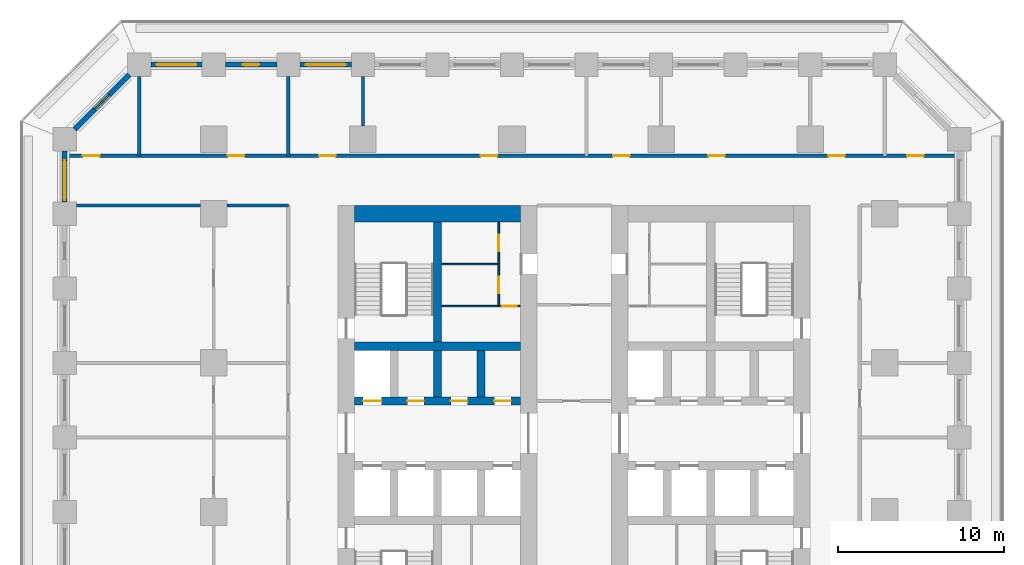
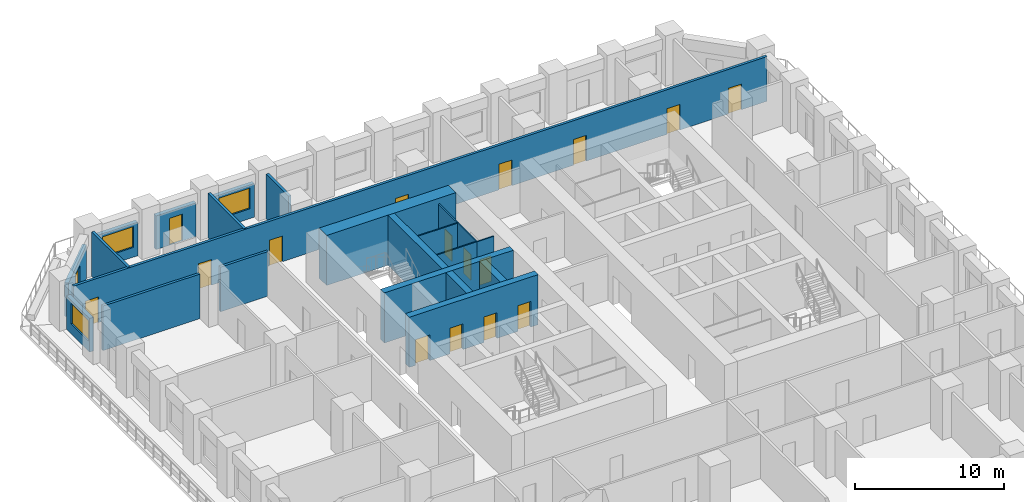
# One storey, part 6 of 12: 22 walls, 17 doors, 3 windows, 20 openings.
"""IFC4 building model written with IfcOpenShell, lengths in metres."""

from ifc_helpers import new_model, si_unit, direction, frame, frame_2d, origin, place, context, subcontext, project, spatial, rectangle, extrude, material, layer, layer_set, type_object, element, fill, save


model = new_model("IFC4")

# Units and contexts
model_context = context("Model", 3, precision=1e-05, world=origin(), true_north=direction((0.0, 1.0)))
body_context = subcontext(model_context, "Body", "Model", "MODEL_VIEW")
ifc_project = project(units=[si_unit("LENGTHUNIT", "METRE"), si_unit("AREAUNIT", "SQUARE_METRE"), si_unit("VOLUMEUNIT", "CUBIC_METRE"), si_unit("PLANEANGLEUNIT", "RADIAN"), si_unit("MASSUNIT", "GRAM", prefix="KILO")], contexts=[model_context])

# Site, building, storey
site_placement = place(None, origin())
site = spatial("IfcSite", under=ifc_project, at=site_placement, CompositionType="ELEMENT")
building_placement = place(site_placement, origin())
building = spatial("IfcBuilding", under=site, at=building_placement, Name="Corbel Stack Research Tower", CompositionType="ELEMENT")
storey_placement = place(building_placement, frame((0.0, 0.0, 27.699951171875)))
storey = spatial("IfcBuildingStorey", under=building, at=storey_placement, Name="L06", CompositionType="ELEMENT", Elevation=27.699951171875)

# Wall
ifc_material_1 = material(Name="Concrete C70/85", Category="concrete")
ifc_layer_1 = layer(ifc_material_1, 1.0)
ifc_layer_set_1 = layer_set([ifc_layer_1], Name="Concrete C70/85")
wall_type_1 = type_object("IfcWallType", Name="CW-1000-70", PredefinedType="SHEAR", material=ifc_layer_set_1)
wall_1_placement = place(storey_placement, frame((-9.5, 18.0, 0.0), z_axis=(0.0, 0.0, 1.0), x_axis=(1.0, 0.0, 0.0)))
element("IfcWall", 1, at=wall_1_placement, inside=storey, type_object=wall_type_1, Name="West core wall, north end L06", PredefinedType="SHEAR", context=body_context, shape_type="SweptSolid", body=[
    extrude(rectangle(XDim=10.0, YDim=1.0, at=frame_2d((5.0, 0.0))), origin(), (0.0, 0.0, 1.0), 4.10009765625),
])

# Wall, openings, doors
ifc_material_2 = material(Name="Concrete C70/85", Category="concrete")
ifc_layer_2 = layer(ifc_material_2, 0.5)
ifc_layer_set_2 = layer_set([ifc_layer_2], Name="Concrete C70/85")
wall_type_2 = type_object("IfcWallType", Name="CW-500-70", PredefinedType="SHEAR", material=ifc_layer_set_2)
wall_2_placement = place(storey_placement, frame((-9.5, 6.699951171875, 0.0), z_axis=(0.0, 0.0, 1.0), x_axis=(1.0, 0.0, 0.0)))
wall_2 = element("IfcWall", 2, at=wall_2_placement, inside=storey, type_object=wall_type_2, Name="West core wall, lobby north L06", PredefinedType="SHEAR", context=body_context, shape_type="SweptSolid", body=[
    extrude(rectangle(XDim=10.0, YDim=0.5, at=frame_2d((5.0, 0.0))), origin(), (0.0, 0.0, 1.0), 4.10009765625),
])
opening_1_placement = place(wall_2_placement, frame((0.512451171875, 0.0, 0.0)))
opening_1 = element("IfcOpeningElement", 3, at=opening_1_placement, cuts=wall_2, Name="Opening LD-LR2", PredefinedType="OPENING", context=body_context, shape_type="SweptSolid", body=[
    extrude(rectangle(XDim=1.10009765625, YDim=2.10009765625, at=frame_2d((0.550048828125, 1.050048828125))), frame((0.0, 0.260009765625, 0.0), z_axis=(0.0, -1.0, 0.0), x_axis=(1.0, 0.0, 0.0)), (0.0, 0.0, 1.0), 0.52001953125),
])
opening_2_placement = place(wall_2_placement, frame((3.1875, 0.0, 0.0)))
opening_2 = element("IfcOpeningElement", 4, at=opening_2_placement, cuts=wall_2, Name="Opening CR-W24-N2", PredefinedType="OPENING", context=body_context, shape_type="SweptSolid", body=[
    extrude(rectangle(XDim=1.0, YDim=2.10009765625, at=frame_2d((0.5, 1.050048828125))), frame((0.0, 0.260009765625, 0.0), z_axis=(0.0, -1.0, 0.0), x_axis=(1.0, 0.0, 0.0)), (0.0, 0.0, 1.0), 0.52001953125),
])
opening_3_placement = place(wall_2_placement, frame((5.8125, 0.0, 0.0)))
opening_3 = element("IfcOpeningElement", 5, at=opening_3_placement, cuts=wall_2, Name="Opening CR-W24-N3", PredefinedType="OPENING", context=body_context, shape_type="SweptSolid", body=[
    extrude(rectangle(XDim=1.0, YDim=2.10009765625, at=frame_2d((0.5, 1.050048828125))), frame((0.0, 0.260009765625, 0.0), z_axis=(0.0, -1.0, 0.0), x_axis=(1.0, 0.0, 0.0)), (0.0, 0.0, 1.0), 0.52001953125),
])
opening_4_placement = place(wall_2_placement, frame((8.4375, 0.0, 0.0)))
opening_4 = element("IfcOpeningElement", 6, at=opening_4_placement, cuts=wall_2, Name="Opening CR-W24-N4", PredefinedType="OPENING", context=body_context, shape_type="SweptSolid", body=[
    extrude(rectangle(XDim=1.0, YDim=2.10009765625, at=frame_2d((0.5, 1.050048828125))), frame((0.0, 0.260009765625, 0.0), z_axis=(0.0, -1.0, 0.0), x_axis=(1.0, 0.0, 0.0)), (0.0, 0.0, 1.0), 0.52001953125),
])
ifc_material_3 = material(Name="Stainless steel landing door", Category="steel")
door_type_1 = type_object("IfcDoorType", Name="Lift landing door 1100 x 2100", OperationType="DOUBLE_DOOR_SLIDING", PredefinedType="DOOR", material=ifc_material_3)
door_1_placement = place(opening_1_placement, origin())
door_1 = element("IfcDoor", 7, at=door_1_placement, inside=storey, type_object=door_type_1, Name="Landing door LR2", OperationType="DOUBLE_DOOR_SLIDING", OverallHeight=2.10009765625, OverallWidth=1.10009765625, PredefinedType="DOOR", context=body_context, shape_type="SweptSolid", body=[
    extrude(rectangle(XDim=1.10009765625, YDim=2.10009765625, at=frame_2d((0.550048828125, 1.050048828125))), frame((0.0, 0.02490234375, 0.0), z_axis=(0.0, -1.0, 0.0), x_axis=(1.0, 0.0, 0.0)), (0.0, 0.0, 1.0), 0.050048828125),
])
fill(opening_1, door_1)
ifc_material_4 = material(Name="Painted steel door", Category="steel")
door_type_2 = type_object("IfcDoorType", Name="Service door 1000 x 2100 FD60 left hand", OperationType="SINGLE_SWING_LEFT", PredefinedType="DOOR", material=ifc_material_4)
door_2_placement = place(opening_3_placement, origin())
door_2 = element("IfcDoor", 8, at=door_2_placement, inside=storey, type_object=door_type_2, Name="Telecom room door W core", OperationType="SINGLE_SWING_LEFT", OverallHeight=2.10009765625, OverallWidth=1.0, PredefinedType="DOOR", context=body_context, shape_type="SweptSolid", body=[
    extrude(rectangle(XDim=1.0, YDim=2.10009765625, at=frame_2d((0.5, 1.050048828125))), frame((0.0, 0.02490234375, 0.0), z_axis=(0.0, -1.0, 0.0), x_axis=(1.0, 0.0, 0.0)), (0.0, 0.0, 1.0), 0.050048828125),
])
fill(opening_3, door_2)
ifc_material_5 = material(Name="Painted steel door", Category="steel")
door_type_3 = type_object("IfcDoorType", Name="Service door 1000 x 2100 FD60 right hand", OperationType="SINGLE_SWING_RIGHT", PredefinedType="DOOR", material=ifc_material_5)
door_3_placement = place(opening_2_placement, origin())
door_3 = element("IfcDoor", 9, at=door_3_placement, inside=storey, type_object=door_type_3, Name="Mechanical room door W core", OperationType="SINGLE_SWING_RIGHT", OverallHeight=2.10009765625, OverallWidth=1.0, PredefinedType="DOOR", context=body_context, shape_type="SweptSolid", body=[
    extrude(rectangle(XDim=1.0, YDim=2.10009765625, at=frame_2d((0.5, 1.050048828125))), frame((0.0, 0.02490234375, 0.0), z_axis=(0.0, -1.0, 0.0), x_axis=(1.0, 0.0, 0.0)), (0.0, 0.0, 1.0), 0.050048828125),
])
fill(opening_2, door_3)
door_4_placement = place(opening_4_placement, origin())
door_4 = element("IfcDoor", 10, at=door_4_placement, inside=storey, type_object=door_type_3, Name="Copy and supply store door W core", OperationType="SINGLE_SWING_RIGHT", OverallHeight=2.10009765625, OverallWidth=1.0, PredefinedType="DOOR", context=body_context, shape_type="SweptSolid", body=[
    extrude(rectangle(XDim=1.0, YDim=2.10009765625, at=frame_2d((0.5, 1.050048828125))), frame((0.0, 0.02490234375, 0.0), z_axis=(0.0, -1.0, 0.0), x_axis=(1.0, 0.0, 0.0)), (0.0, 0.0, 1.0), 0.050048828125),
])
fill(opening_4, door_4)

# Walls
wall_3_placement = place(storey_placement, frame((-9.5, 10.0, 0.0), z_axis=(0.0, 0.0, 1.0), x_axis=(1.0, 0.0, 0.0)))
element("IfcWall", 11, at=wall_3_placement, inside=storey, type_object=wall_type_2, Name="West core wall, north row back L06", PredefinedType="SHEAR", context=body_context, shape_type="SweptSolid", body=[
    extrude(rectangle(XDim=10.0, YDim=0.5, at=frame_2d((5.0, 0.0))), origin(), (0.0, 0.0, 1.0), 4.10009765625),
])
for number, where, z_axis, x_axis, name in (
    (12, (-4.5, 6.949951171875, 0.0), (0.0, 0.0, 1.0), (0.0, 1.0, 0.0), "West core wall, north shaft 2 L06"),
    (13, (-1.875, 6.949951171875, 0.0), (0.0, 0.0, 1.0), (0.0, 1.0, 0.0), "West core wall, north shaft 3 L06"),
):
    element("IfcWall", number, at=place(storey_placement, frame(where, z_axis=z_axis, x_axis=x_axis)), inside=storey, type_object=wall_type_2, Name=name, PredefinedType="SHEAR", context=body_context, shape_type="SweptSolid", body=[
        extrude(rectangle(XDim=2.800048828125, YDim=0.5, at=frame_2d((1.39990234375, 0.0))), origin(), (0.0, 0.0, 1.0), 4.10009765625),
    ])
wall_4_placement = place(storey_placement, frame((-4.5, 10.25, 0.0), z_axis=(0.0, 0.0, 1.0), x_axis=(0.0, 1.0, 0.0)))
element("IfcWall", 14, at=wall_4_placement, inside=storey, type_object=wall_type_2, Name="West core wall, north stair and riser L06", PredefinedType="SHEAR", context=body_context, shape_type="SweptSolid", body=[
    extrude(rectangle(XDim=7.25, YDim=0.5, at=frame_2d((3.625, 0.0))), origin(), (0.0, 0.0, 1.0), 4.10009765625),
])

# Wall, opening, door
ifc_material_6 = material(Name="Gypsum board")
ifc_layer_3 = layer(ifc_material_6, 0.10009765625)
ifc_layer_set_3 = layer_set([ifc_layer_3], Name="Gypsum board")
wall_type_3 = type_object("IfcWallType", Name="Core partition 100", PredefinedType="PARTITIONING", material=ifc_layer_set_3)
wall_5_placement = place(storey_placement, frame((-0.800048828125, 12.425048828125, 0.0), z_axis=(0.0, 0.0, 1.0), x_axis=(1.0, 0.0, 0.0)))
wall_5 = element("IfcWall", 15, at=wall_5_placement, inside=storey, type_object=wall_type_3, Name="Core partition W", PredefinedType="PARTITIONING", context=body_context, shape_type="SweptSolid", body=[
    extrude(rectangle(XDim=1.300048828125, YDim=0.10009765625, at=frame_2d((0.64990234375, 0.0))), origin(), (0.0, 0.0, 1.0), 3.650146484375),
])
opening_5_placement = place(wall_5_placement, frame((0.199951171875, 0.0, 0.0)))
opening_5 = element("IfcOpeningElement", 16, at=opening_5_placement, cuts=wall_5, Name="Opening CR-W24-R1-900", PredefinedType="OPENING", context=body_context, shape_type="SweptSolid", body=[
    extrude(rectangle(XDim=0.89990234375, YDim=2.10009765625, at=frame_2d((0.449951171875, 1.050048828125))), frame((0.0, 0.06005859375, 0.0), z_axis=(0.0, -1.0, 0.0), x_axis=(1.0, 0.0, 0.0)), (0.0, 0.0, 1.0), 0.1201171875),
])
ifc_material_7 = material(Name="Painted steel door", Category="steel")
door_type_4 = type_object("IfcDoorType", Name="Riser door 900 x 2100 FD60 left hand", OperationType="SINGLE_SWING_LEFT", PredefinedType="DOOR", material=ifc_material_7)
door_5_placement = place(opening_5_placement, origin())
door_5 = element("IfcDoor", 17, at=door_5_placement, inside=storey, type_object=door_type_4, Name="Electrical riser door W core", OperationType="SINGLE_SWING_LEFT", OverallHeight=2.10009765625, OverallWidth=0.89990234375, PredefinedType="DOOR", context=body_context, shape_type="SweptSolid", body=[
    extrude(rectangle(XDim=0.89990234375, YDim=2.10009765625, at=frame_2d((0.449951171875, 1.050048828125))), frame((0.0, 0.02490234375, 0.0), z_axis=(0.0, -1.0, 0.0), x_axis=(1.0, 0.0, 0.0)), (0.0, 0.0, 1.0), 0.050048828125),
])
fill(opening_5, door_5)

# Wall
wall_6_placement = place(storey_placement, frame((-4.25, 12.425048828125, 0.0), z_axis=(0.0, 0.0, 1.0), x_axis=(1.0, 0.0, 0.0)))
element("IfcWall", 18, at=wall_6_placement, inside=storey, type_object=wall_type_3, Name="Core partition W", PredefinedType="PARTITIONING", context=body_context, shape_type="SweptSolid", body=[
    extrude(rectangle(XDim=3.449951171875, YDim=0.10009765625, at=frame_2d((1.72509765625, 0.0))), origin(), (0.0, 0.0, 1.0), 3.650146484375),
])

# Wall, opening, door
wall_7_placement = place(storey_placement, frame((-0.800048828125, 12.425048828125, 0.0), z_axis=(0.0, 0.0, 1.0), x_axis=(0.0, 1.0, 0.0)))
wall_7 = element("IfcWall", 19, at=wall_7_placement, inside=storey, type_object=wall_type_3, Name="Core partition W", PredefinedType="PARTITIONING", context=body_context, shape_type="SweptSolid", body=[
    extrude(rectangle(XDim=2.537353515625, YDim=0.10009765625, at=frame_2d((1.2685546875, 0.0))), origin(), (0.0, 0.0, 1.0), 3.650146484375),
])
opening_6_placement = place(wall_7_placement, frame((0.768798828125, 0.0, 0.0)))
opening_6 = element("IfcOpeningElement", 20, at=opening_6_placement, cuts=wall_7, Name="Opening CR-W24-R3-1000", PredefinedType="OPENING", context=body_context, shape_type="SweptSolid", body=[
    extrude(rectangle(XDim=1.0, YDim=2.10009765625, at=frame_2d((0.5, 1.050048828125))), frame((0.0, 0.06005859375, 0.0), z_axis=(0.0, -1.0, 0.0), x_axis=(1.0, 0.0, 0.0)), (0.0, 0.0, 1.0), 0.1201171875),
])
ifc_material_8 = material(Name="Painted steel door", Category="steel")
door_type_5 = type_object("IfcDoorType", Name="Service door 1000 x 2100 FD30 left hand", OperationType="SINGLE_SWING_LEFT", PredefinedType="DOOR", material=ifc_material_8)
door_6_placement = place(opening_6_placement, origin())
door_6 = element("IfcDoor", 21, at=door_6_placement, inside=storey, type_object=door_type_5, Name="Pantry door W core", OperationType="SINGLE_SWING_LEFT", OverallHeight=2.10009765625, OverallWidth=1.0, PredefinedType="DOOR", context=body_context, shape_type="SweptSolid", body=[
    extrude(rectangle(XDim=1.0, YDim=2.10009765625, at=frame_2d((0.5, 1.050048828125))), frame((0.0, 0.02490234375, 0.0), z_axis=(0.0, -1.0, 0.0), x_axis=(1.0, 0.0, 0.0)), (0.0, 0.0, 1.0), 0.050048828125),
])
fill(opening_6, door_6)

wall_8_placement = place(storey_placement, frame((-0.800048828125, 14.96240234375, 0.0), z_axis=(0.0, 0.0, 1.0), x_axis=(0.0, 1.0, 0.0)))
wall_8 = element("IfcWall", 22, at=wall_8_placement, inside=storey, type_object=wall_type_3, Name="Core partition W", PredefinedType="PARTITIONING", context=body_context, shape_type="SweptSolid", body=[
    extrude(rectangle(XDim=2.53759765625, YDim=0.10009765625, at=frame_2d((1.268798828125, 0.0))), origin(), (0.0, 0.0, 1.0), 3.650146484375),
])
opening_7_placement = place(wall_8_placement, frame((0.768798828125, 0.0, 0.0)))
opening_7 = element("IfcOpeningElement", 23, at=opening_7_placement, cuts=wall_8, Name="Opening CR-W24-R4-1000", PredefinedType="OPENING", context=body_context, shape_type="SweptSolid", body=[
    extrude(rectangle(XDim=1.0, YDim=2.10009765625, at=frame_2d((0.5, 1.050048828125))), frame((0.0, 0.06005859375, 0.0), z_axis=(0.0, -1.0, 0.0), x_axis=(1.0, 0.0, 0.0)), (0.0, 0.0, 1.0), 0.1201171875),
])
ifc_material_9 = material(Name="Painted steel door", Category="steel")
door_type_6 = type_object("IfcDoorType", Name="Service door 1000 x 2100 FD30 right hand", OperationType="SINGLE_SWING_RIGHT", PredefinedType="DOOR", material=ifc_material_9)
door_7_placement = place(opening_7_placement, origin())
door_7 = element("IfcDoor", 24, at=door_7_placement, inside=storey, type_object=door_type_6, Name="Copy and supply store door W core", OperationType="SINGLE_SWING_RIGHT", OverallHeight=2.10009765625, OverallWidth=1.0, PredefinedType="DOOR", context=body_context, shape_type="SweptSolid", body=[
    extrude(rectangle(XDim=1.0, YDim=2.10009765625, at=frame_2d((0.5, 1.050048828125))), frame((0.0, 0.02490234375, 0.0), z_axis=(0.0, -1.0, 0.0), x_axis=(1.0, 0.0, 0.0)), (0.0, 0.0, 1.0), 0.050048828125),
])
fill(opening_7, door_7)

# Walls
wall_9_placement = place(storey_placement, frame((-4.25, 14.96240234375, 0.0), z_axis=(0.0, 0.0, 1.0), x_axis=(1.0, 0.0, 0.0)))
element("IfcWall", 25, at=wall_9_placement, inside=storey, type_object=wall_type_3, Name="Core partition W", PredefinedType="PARTITIONING", context=body_context, shape_type="SweptSolid", body=[
    extrude(rectangle(XDim=3.449951171875, YDim=0.10009765625, at=frame_2d((1.72509765625, 0.0))), origin(), (0.0, 0.0, 1.0), 3.650146484375),
])
ifc_material_10 = material(Name="Fire-rated gypsum board partition on steel studs", Category="steel")
ifc_layer_4 = layer(ifc_material_10, 0.199951171875)
ifc_layer_set_4 = layer_set([ifc_layer_4], Name="Fire-rated gypsum board partition on steel studs")
wall_type_4 = type_object("IfcWallType", Name="Fire-rated partition 200 EI 60", PredefinedType="PARTITIONING", material=ifc_layer_set_4)
for number, where, z_axis, x_axis, name in (
    (26, (-22.5, 21.5, 0.0), (0.0, 0.0, 1.0), (0.0, 1.0, 0.0), "Partition L06-002"),
    (27, (-13.5, 21.5, 0.0), (0.0, 0.0, 1.0), (0.0, 1.0, 0.0), "Partition L06-008"),
):
    element("IfcWall", number, at=place(storey_placement, frame(where, z_axis=z_axis, x_axis=x_axis)), inside=storey, type_object=wall_type_4, Name=name, PredefinedType="PARTITIONING", context=body_context, shape_type="SweptSolid", body=[
        extrude(rectangle(XDim=4.800048828125, YDim=0.199951171875, at=frame_2d((2.39990234375, 0.0))), origin(), (0.0, 0.0, 1.0), 3.650146484375),
    ])
wall_10_placement = place(storey_placement, frame((-9.0, 23.300048828125, 0.0), z_axis=(0.0, 0.0, 1.0), x_axis=(0.0, 1.0, 0.0)))
element("IfcWall", 28, at=wall_10_placement, inside=storey, type_object=wall_type_4, Name="Partition L06-011", PredefinedType="PARTITIONING", context=body_context, shape_type="SweptSolid", body=[
    extrude(rectangle(XDim=3.0, YDim=0.199951171875, at=frame_2d((1.5, 0.0))), origin(), (0.0, 0.0, 1.0), 3.650146484375),
])
wall_11_placement = place(storey_placement, frame((-26.300048828125, 18.5, 0.0), z_axis=(0.0, 0.0, 1.0), x_axis=(1.0, 0.0, 0.0)))
element("IfcWall", 29, at=wall_11_placement, inside=storey, type_object=wall_type_4, Name="Partition L06-040", PredefinedType="PARTITIONING", context=body_context, shape_type="SweptSolid", body=[
    extrude(rectangle(XDim=7.5, YDim=0.199951171875, at=frame_2d((3.75, 0.0))), origin(), (0.0, 0.0, 1.0), 3.650146484375),
])
wall_12_placement = place(storey_placement, frame((-17.199951171875, 18.5, 0.0), z_axis=(0.0, 0.0, 1.0), x_axis=(1.0, 0.0, 0.0)))
element("IfcWall", 30, at=wall_12_placement, inside=storey, type_object=wall_type_4, Name="Partition L06-041", PredefinedType="PARTITIONING", context=body_context, shape_type="SweptSolid", body=[
    extrude(rectangle(XDim=3.699951171875, YDim=0.199951171875, at=frame_2d((1.85009765625, 0.0))), origin(), (0.0, 0.0, 1.0), 3.650146484375),
])

# Wall, openings, doors
wall_13_placement = place(storey_placement, frame((-26.85009765625, 21.5, 0.0), z_axis=(0.0, 0.0, 1.0), x_axis=(1.0, 0.0, 0.0)))
wall_13 = element("IfcWall", 31, at=wall_13_placement, inside=storey, type_object=wall_type_4, Name="Partition L06-045", PredefinedType="PARTITIONING", context=body_context, shape_type="SweptSolid", body=[
    extrude(rectangle(XDim=53.7001953125, YDim=0.199951171875, at=frame_2d((26.85009765625, 0.0))), origin(), (0.0, 0.0, 1.0), 3.650146484375),
])
opening_8_placement = place(wall_13_placement, frame((0.949951171875, 0.0, 0.0)))
opening_8 = element("IfcOpeningElement", 32, at=opening_8_placement, cuts=wall_13, Name="Opening B1V1-031", PredefinedType="OPENING", context=body_context, shape_type="SweptSolid", body=[
    extrude(rectangle(XDim=1.0, YDim=2.10009765625, at=frame_2d((0.5, 1.050048828125))), frame((0.0, 0.10986328125, 0.0), z_axis=(0.0, -1.0, 0.0), x_axis=(1.0, 0.0, 0.0)), (0.0, 0.0, 1.0), 0.219970703125),
])
opening_9_placement = place(wall_13_placement, frame((9.699951171875, 0.0, 0.0)))
opening_9 = element("IfcOpeningElement", 33, at=opening_9_placement, cuts=wall_13, Name="Opening B1V1-032", PredefinedType="OPENING", context=body_context, shape_type="SweptSolid", body=[
    extrude(rectangle(XDim=1.0, YDim=2.10009765625, at=frame_2d((0.5, 1.050048828125))), frame((0.0, 0.10986328125, 0.0), z_axis=(0.0, -1.0, 0.0), x_axis=(1.0, 0.0, 0.0)), (0.0, 0.0, 1.0), 0.219970703125),
])
opening_10_placement = place(wall_13_placement, frame((15.199951171875, 0.0, 0.0)))
opening_10 = element("IfcOpeningElement", 34, at=opening_10_placement, cuts=wall_13, Name="Opening B1V1-033", PredefinedType="OPENING", context=body_context, shape_type="SweptSolid", body=[
    extrude(rectangle(XDim=1.0, YDim=2.10009765625, at=frame_2d((0.5, 1.050048828125))), frame((0.0, 0.10986328125, 0.0), z_axis=(0.0, -1.0, 0.0), x_axis=(1.0, 0.0, 0.0)), (0.0, 0.0, 1.0), 0.219970703125),
])
opening_11_placement = place(wall_13_placement, frame((24.949951171875, 0.0, 0.0)))
opening_11 = element("IfcOpeningElement", 35, at=opening_11_placement, cuts=wall_13, Name="Opening B1V1-034", PredefinedType="OPENING", context=body_context, shape_type="SweptSolid", body=[
    extrude(rectangle(XDim=1.0, YDim=2.10009765625, at=frame_2d((0.5, 1.050048828125))), frame((0.0, 0.10986328125, 0.0), z_axis=(0.0, -1.0, 0.0), x_axis=(1.0, 0.0, 0.0)), (0.0, 0.0, 1.0), 0.219970703125),
])
opening_12_placement = place(wall_13_placement, frame((32.949951171875, 0.0, 0.0)))
opening_12 = element("IfcOpeningElement", 36, at=opening_12_placement, cuts=wall_13, Name="Opening B1V1-035", PredefinedType="OPENING", context=body_context, shape_type="SweptSolid", body=[
    extrude(rectangle(XDim=1.0, YDim=2.10009765625, at=frame_2d((0.5, 1.050048828125))), frame((0.0, 0.10986328125, 0.0), z_axis=(0.0, -1.0, 0.0), x_axis=(1.0, 0.0, 0.0)), (0.0, 0.0, 1.0), 0.219970703125),
])
opening_13_placement = place(wall_13_placement, frame((38.699951171875, 0.0, 0.0)))
opening_13 = element("IfcOpeningElement", 37, at=opening_13_placement, cuts=wall_13, Name="Opening B1V1-036", PredefinedType="OPENING", context=body_context, shape_type="SweptSolid", body=[
    extrude(rectangle(XDim=1.0, YDim=2.10009765625, at=frame_2d((0.5, 1.050048828125))), frame((0.0, 0.10986328125, 0.0), z_axis=(0.0, -1.0, 0.0), x_axis=(1.0, 0.0, 0.0)), (0.0, 0.0, 1.0), 0.219970703125),
])
opening_14_placement = place(wall_13_placement, frame((45.949951171875, 0.0, 0.0)))
opening_14 = element("IfcOpeningElement", 38, at=opening_14_placement, cuts=wall_13, Name="Opening B1V1-037", PredefinedType="OPENING", context=body_context, shape_type="SweptSolid", body=[
    extrude(rectangle(XDim=1.0, YDim=2.10009765625, at=frame_2d((0.5, 1.050048828125))), frame((0.0, 0.10986328125, 0.0), z_axis=(0.0, -1.0, 0.0), x_axis=(1.0, 0.0, 0.0)), (0.0, 0.0, 1.0), 0.219970703125),
])
opening_15_placement = place(wall_13_placement, frame((50.699951171875, 0.0, 0.0)))
opening_15 = element("IfcOpeningElement", 39, at=opening_15_placement, cuts=wall_13, Name="Opening B1V1-038", PredefinedType="OPENING", context=body_context, shape_type="SweptSolid", body=[
    extrude(rectangle(XDim=1.0, YDim=2.10009765625, at=frame_2d((0.5, 1.050048828125))), frame((0.0, 0.10986328125, 0.0), z_axis=(0.0, -1.0, 0.0), x_axis=(1.0, 0.0, 0.0)), (0.0, 0.0, 1.0), 0.219970703125),
])
ifc_material_11 = material(Name="Painted steel fire door", Category="steel")
door_type_7 = type_object("IfcDoorType", Name="Fire door FD30S 1000 x 2100", OperationType="NOTDEFINED", PredefinedType="DOOR", material=ifc_material_11)
door_8_placement = place(opening_8_placement, origin())
door_8 = element("IfcDoor", 40, at=door_8_placement, inside=storey, type_object=door_type_7, Name="Door B1V1-031", OperationType="SINGLE_SWING_LEFT", OverallHeight=2.10009765625, OverallWidth=1.0, PredefinedType="DOOR", context=body_context, shape_type="SweptSolid", body=[
    extrude(rectangle(XDim=1.0, YDim=2.10009765625, at=frame_2d((0.5, 1.050048828125))), frame((0.0, 0.02490234375, 0.0), z_axis=(0.0, -1.0, 0.0), x_axis=(1.0, 0.0, 0.0)), (0.0, 0.0, 1.0), 0.050048828125),
])
fill(opening_8, door_8)
door_9_placement = place(opening_9_placement, origin())
door_9 = element("IfcDoor", 41, at=door_9_placement, inside=storey, type_object=door_type_7, Name="Door B1V1-032", OperationType="SINGLE_SWING_LEFT", OverallHeight=2.10009765625, OverallWidth=1.0, PredefinedType="DOOR", context=body_context, shape_type="SweptSolid", body=[
    extrude(rectangle(XDim=1.0, YDim=2.10009765625, at=frame_2d((0.5, 1.050048828125))), frame((0.0, 0.02490234375, 0.0), z_axis=(0.0, -1.0, 0.0), x_axis=(1.0, 0.0, 0.0)), (0.0, 0.0, 1.0), 0.050048828125),
])
fill(opening_9, door_9)
door_10_placement = place(opening_10_placement, origin())
door_10 = element("IfcDoor", 42, at=door_10_placement, inside=storey, type_object=door_type_7, Name="Door B1V1-033", OperationType="SINGLE_SWING_LEFT", OverallHeight=2.10009765625, OverallWidth=1.0, PredefinedType="DOOR", context=body_context, shape_type="SweptSolid", body=[
    extrude(rectangle(XDim=1.0, YDim=2.10009765625, at=frame_2d((0.5, 1.050048828125))), frame((0.0, 0.02490234375, 0.0), z_axis=(0.0, -1.0, 0.0), x_axis=(1.0, 0.0, 0.0)), (0.0, 0.0, 1.0), 0.050048828125),
])
fill(opening_10, door_10)
door_11_placement = place(opening_11_placement, origin())
door_11 = element("IfcDoor", 43, at=door_11_placement, inside=storey, type_object=door_type_7, Name="Door B1V1-034", OperationType="SINGLE_SWING_LEFT", OverallHeight=2.10009765625, OverallWidth=1.0, PredefinedType="DOOR", context=body_context, shape_type="SweptSolid", body=[
    extrude(rectangle(XDim=1.0, YDim=2.10009765625, at=frame_2d((0.5, 1.050048828125))), frame((0.0, 0.02490234375, 0.0), z_axis=(0.0, -1.0, 0.0), x_axis=(1.0, 0.0, 0.0)), (0.0, 0.0, 1.0), 0.050048828125),
])
fill(opening_11, door_11)
door_12_placement = place(opening_12_placement, origin())
door_12 = element("IfcDoor", 44, at=door_12_placement, inside=storey, type_object=door_type_7, Name="Door B1V1-035", OperationType="SINGLE_SWING_RIGHT", OverallHeight=2.10009765625, OverallWidth=1.0, PredefinedType="DOOR", context=body_context, shape_type="SweptSolid", body=[
    extrude(rectangle(XDim=1.0, YDim=2.10009765625, at=frame_2d((0.5, 1.050048828125))), frame((0.0, 0.02490234375, 0.0), z_axis=(0.0, -1.0, 0.0), x_axis=(1.0, 0.0, 0.0)), (0.0, 0.0, 1.0), 0.050048828125),
])
fill(opening_12, door_12)
door_13_placement = place(opening_13_placement, origin())
door_13 = element("IfcDoor", 45, at=door_13_placement, inside=storey, type_object=door_type_7, Name="Door B1V1-036", OperationType="SINGLE_SWING_RIGHT", OverallHeight=2.10009765625, OverallWidth=1.0, PredefinedType="DOOR", context=body_context, shape_type="SweptSolid", body=[
    extrude(rectangle(XDim=1.0, YDim=2.10009765625, at=frame_2d((0.5, 1.050048828125))), frame((0.0, 0.02490234375, 0.0), z_axis=(0.0, -1.0, 0.0), x_axis=(1.0, 0.0, 0.0)), (0.0, 0.0, 1.0), 0.050048828125),
])
fill(opening_13, door_13)
door_14_placement = place(opening_14_placement, origin())
door_14 = element("IfcDoor", 46, at=door_14_placement, inside=storey, type_object=door_type_7, Name="Door B1V1-037", OperationType="SINGLE_SWING_RIGHT", OverallHeight=2.10009765625, OverallWidth=1.0, PredefinedType="DOOR", context=body_context, shape_type="SweptSolid", body=[
    extrude(rectangle(XDim=1.0, YDim=2.10009765625, at=frame_2d((0.5, 1.050048828125))), frame((0.0, 0.02490234375, 0.0), z_axis=(0.0, -1.0, 0.0), x_axis=(1.0, 0.0, 0.0)), (0.0, 0.0, 1.0), 0.050048828125),
])
fill(opening_14, door_14)
door_15_placement = place(opening_15_placement, origin())
door_15 = element("IfcDoor", 47, at=door_15_placement, inside=storey, type_object=door_type_7, Name="Door B1V1-038", OperationType="SINGLE_SWING_RIGHT", OverallHeight=2.10009765625, OverallWidth=1.0, PredefinedType="DOOR", context=body_context, shape_type="SweptSolid", body=[
    extrude(rectangle(XDim=1.0, YDim=2.10009765625, at=frame_2d((0.5, 1.050048828125))), frame((0.0, 0.02490234375, 0.0), z_axis=(0.0, -1.0, 0.0), x_axis=(1.0, 0.0, 0.0)), (0.0, 0.0, 1.0), 0.050048828125),
])
fill(opening_15, door_15)

# Wall, opening, window
ifc_material_12 = material(Name="Concrete C45/55", Category="concrete")
ifc_layer_5 = layer(ifc_material_12, 0.300048828125)
ifc_layer_set_5 = layer_set([ifc_layer_5], Name="Concrete C45/55")
wall_type_5 = type_object("IfcWallType", Name="Terracotta-faced concrete wall 300", PredefinedType="SOLIDWALL", material=ifc_layer_set_5)
wall_14_placement = place(storey_placement, frame((-12.800048828125, 27.0, 0.0), z_axis=(0.0, 0.0, 1.0), x_axis=(1.0, 0.0, 0.0)))
wall_14 = element("IfcWall", 48, at=wall_14_placement, inside=storey, type_object=wall_type_5, Name="Facade wall L06 N08", PredefinedType="SOLIDWALL", context=body_context, shape_type="SweptSolid", body=[
    extrude(rectangle(XDim=3.10009765625, YDim=0.300048828125, at=frame_2d((1.550048828125, 0.0))), origin(), (0.0, 0.0, 1.0), 2.75),
])
opening_16_placement = place(wall_14_placement, frame((0.35009765625, 0.0, 0.800048828125)))
opening_16 = element("IfcOpeningElement", 49, at=opening_16_placement, cuts=wall_14, Name="Opening W1", PredefinedType="OPENING", context=body_context, shape_type="SweptSolid", body=[
    extrude(rectangle(XDim=2.39990234375, YDim=1.699951171875, at=frame_2d((1.199951171875, 0.85009765625))), frame((0.0, 0.159912109375, 0.0), z_axis=(0.0, -1.0, 0.0), x_axis=(1.0, 0.0, 0.0)), (0.0, 0.0, 1.0), 0.320068359375),
])
ifc_material_13 = material(Name="Aluminium frame, clear double glazing", Category="aluminium")
window_type = type_object("IfcWindowType", Name="Window W1 2400 x 1700", PartitioningType="SINGLE_PANEL", PredefinedType="WINDOW", material=ifc_material_13)
window_1_placement = place(opening_16_placement, origin())
window_1 = element("IfcWindow", 50, at=window_1_placement, inside=storey, type_object=window_type, Name="Window W1 L06 N08", OverallHeight=1.699951171875, OverallWidth=2.39990234375, PartitioningType="SINGLE_PANEL", PredefinedType="WINDOW", context=body_context, shape_type="SweptSolid", body=[
    extrude(rectangle(XDim=2.39990234375, YDim=1.699951171875, at=frame_2d((1.199951171875, 0.85009765625))), frame((0.0, 0.030029296875, 0.0), z_axis=(0.0, -1.0, 0.0), x_axis=(1.0, 0.0, 0.0)), (0.0, 0.0, 1.0), 0.06005859375),
])
fill(opening_16, window_1)

# Wall, opening, door
wall_15_placement = place(storey_placement, frame((-17.300048828125, 27.0, 0.0), z_axis=(0.0, 0.0, 1.0), x_axis=(1.0, 0.0, 0.0)))
wall_15 = element("IfcWall", 51, at=wall_15_placement, inside=storey, type_object=wall_type_5, Name="Facade wall L06 N09", PredefinedType="SOLIDWALL", context=body_context, shape_type="SweptSolid", body=[
    extrude(rectangle(XDim=3.10009765625, YDim=0.300048828125, at=frame_2d((1.550048828125, 0.0))), origin(), (0.0, 0.0, 1.0), 2.75),
])
opening_17_placement = place(wall_15_placement, frame((1.050048828125, 0.0, 0.0)))
opening_17 = element("IfcOpeningElement", 52, at=opening_17_placement, cuts=wall_15, Name="Opening L06-B08", PredefinedType="OPENING", context=body_context, shape_type="SweptSolid", body=[
    extrude(rectangle(XDim=1.0, YDim=2.199951171875, at=frame_2d((0.5, 1.10009765625))), frame((0.0, 0.159912109375, 0.0), z_axis=(0.0, -1.0, 0.0), x_axis=(1.0, 0.0, 0.0)), (0.0, 0.0, 1.0), 0.320068359375),
])
ifc_material_14 = material(Name="Aluminium frame, clear double glazing", Category="aluminium")
door_type_8 = type_object("IfcDoorType", Name="Balcony door BD1 1000 x 2200", OperationType="NOTDEFINED", PredefinedType="DOOR", material=ifc_material_14)
door_16_placement = place(opening_17_placement, origin())
door_16 = element("IfcDoor", 53, at=door_16_placement, inside=storey, type_object=door_type_8, Name="Balcony door L06-B08", OperationType="SINGLE_SWING_LEFT", OverallHeight=2.199951171875, OverallWidth=1.0, PredefinedType="DOOR", context=body_context, shape_type="SweptSolid", body=[
    extrude(rectangle(XDim=1.0, YDim=2.199951171875, at=frame_2d((0.5, 1.10009765625))), frame((0.0, 0.02490234375, 0.0), z_axis=(0.0, -1.0, 0.0), x_axis=(1.0, 0.0, 0.0)), (0.0, 0.0, 1.0), 0.050048828125),
])
fill(opening_17, door_16)

# Wall, opening, window
wall_16_placement = place(storey_placement, frame((-21.800048828125, 27.0, 0.0), z_axis=(0.0, 0.0, 1.0), x_axis=(1.0, 0.0, 0.0)))
wall_16 = element("IfcWall", 54, at=wall_16_placement, inside=storey, type_object=wall_type_5, Name="Facade wall L06 N10", PredefinedType="SOLIDWALL", context=body_context, shape_type="SweptSolid", body=[
    extrude(rectangle(XDim=3.10009765625, YDim=0.300048828125, at=frame_2d((1.550048828125, 0.0))), origin(), (0.0, 0.0, 1.0), 2.75),
])
opening_18_placement = place(wall_16_placement, frame((0.35009765625, 0.0, 0.800048828125)))
opening_18 = element("IfcOpeningElement", 55, at=opening_18_placement, cuts=wall_16, Name="Opening W1", PredefinedType="OPENING", context=body_context, shape_type="SweptSolid", body=[
    extrude(rectangle(XDim=2.39990234375, YDim=1.699951171875, at=frame_2d((1.199951171875, 0.85009765625))), frame((0.0, 0.159912109375, 0.0), z_axis=(0.0, -1.0, 0.0), x_axis=(1.0, 0.0, 0.0)), (0.0, 0.0, 1.0), 0.320068359375),
])
window_2_placement = place(opening_18_placement, origin())
window_2 = element("IfcWindow", 56, at=window_2_placement, inside=storey, type_object=window_type, Name="Window W1 L06 N10", OverallHeight=1.699951171875, OverallWidth=2.39990234375, PartitioningType="SINGLE_PANEL", PredefinedType="WINDOW", context=body_context, shape_type="SweptSolid", body=[
    extrude(rectangle(XDim=2.39990234375, YDim=1.699951171875, at=frame_2d((1.199951171875, 0.85009765625))), frame((0.0, 0.030029296875, 0.0), z_axis=(0.0, -1.0, 0.0), x_axis=(1.0, 0.0, 0.0)), (0.0, 0.0, 1.0), 0.06005859375),
])
fill(opening_18, window_2)

# Wall, opening, door
wall_17_placement = place(storey_placement, frame((-26.406005859375, 23.093994140625, 0.0), z_axis=(0.0, 0.0, 1.0), x_axis=(0.707106781187, 0.707106781187, 0.0)))
wall_17 = element("IfcWall", 57, at=wall_17_placement, inside=storey, type_object=wall_type_5, Name="Facade wall L06 NW01", PredefinedType="SOLIDWALL", context=body_context, shape_type="SweptSolid", body=[
    extrude(rectangle(XDim=4.683837890625, YDim=0.300048828125, at=frame_2d((2.341796875, 0.0))), origin(), (0.0, 0.0, 1.0), 2.75),
])
opening_19_placement = place(wall_17_placement, frame((1.741943359375, 0.0, 0.0)))
opening_19 = element("IfcOpeningElement", 58, at=opening_19_placement, cuts=wall_17, Name="Opening L06-B09", PredefinedType="OPENING", context=body_context, shape_type="SweptSolid", body=[
    extrude(rectangle(XDim=1.199951171875, YDim=2.199951171875, at=frame_2d((0.60009765625, 1.10009765625))), frame((0.0, 0.159912109375, 0.0), z_axis=(0.0, -1.0, 0.0), x_axis=(1.0, 0.0, 0.0)), (0.0, 0.0, 1.0), 0.320068359375),
])
ifc_material_15 = material(Name="Aluminium frame, clear double glazing", Category="aluminium")
door_type_9 = type_object("IfcDoorType", Name="Balcony door BD2 1200 x 2200", OperationType="NOTDEFINED", PredefinedType="DOOR", material=ifc_material_15)
door_17_placement = place(opening_19_placement, origin())
door_17 = element("IfcDoor", 59, at=door_17_placement, inside=storey, type_object=door_type_9, Name="Balcony door L06-B09", OperationType="SINGLE_SWING_LEFT", OverallHeight=2.199951171875, OverallWidth=1.199951171875, PredefinedType="DOOR", context=body_context, shape_type="SweptSolid", body=[
    extrude(rectangle(XDim=1.199951171875, YDim=2.199951171875, at=frame_2d((0.60009765625, 1.10009765625))), frame((0.0, 0.02490234375, 0.0), z_axis=(0.0, -1.0, 0.0), x_axis=(1.0, 0.0, 0.0)), (0.0, 0.0, 1.0), 0.050048828125),
])
fill(opening_19, door_17)

# Wall, opening, window
wall_18_placement = place(storey_placement, frame((-27.0, 18.699951171875, 0.0), z_axis=(0.0, 0.0, 1.0), x_axis=(0.0, 1.0, 0.0)))
wall_18 = element("IfcWall", 60, at=wall_18_placement, inside=storey, type_object=wall_type_5, Name="Facade wall L06 W01", PredefinedType="SOLIDWALL", context=body_context, shape_type="SweptSolid", body=[
    extrude(rectangle(XDim=3.10009765625, YDim=0.300048828125, at=frame_2d((1.550048828125, 0.0))), origin(), (0.0, 0.0, 1.0), 2.75),
])
opening_20_placement = place(wall_18_placement, frame((0.125, 0.0, 0.800048828125)))
opening_20 = element("IfcOpeningElement", 61, at=opening_20_placement, cuts=wall_18, Name="Opening W1", PredefinedType="OPENING", context=body_context, shape_type="SweptSolid", body=[
    extrude(rectangle(XDim=2.39990234375, YDim=1.699951171875, at=frame_2d((1.199951171875, 0.85009765625))), frame((0.0, 0.159912109375, 0.0), z_axis=(0.0, -1.0, 0.0), x_axis=(1.0, 0.0, 0.0)), (0.0, 0.0, 1.0), 0.320068359375),
])
window_3_placement = place(opening_20_placement, origin())
window_3 = element("IfcWindow", 62, at=window_3_placement, inside=storey, type_object=window_type, Name="Window W1 L06 W01", OverallHeight=1.699951171875, OverallWidth=2.39990234375, PartitioningType="SINGLE_PANEL", PredefinedType="WINDOW", context=body_context, shape_type="SweptSolid", body=[
    extrude(rectangle(XDim=2.39990234375, YDim=1.699951171875, at=frame_2d((1.199951171875, 0.85009765625))), frame((0.0, 0.030029296875, 0.0), z_axis=(0.0, -1.0, 0.0), x_axis=(1.0, 0.0, 0.0)), (0.0, 0.0, 1.0), 0.06005859375),
])
fill(opening_20, window_3)

save(model, "model.ifc")
